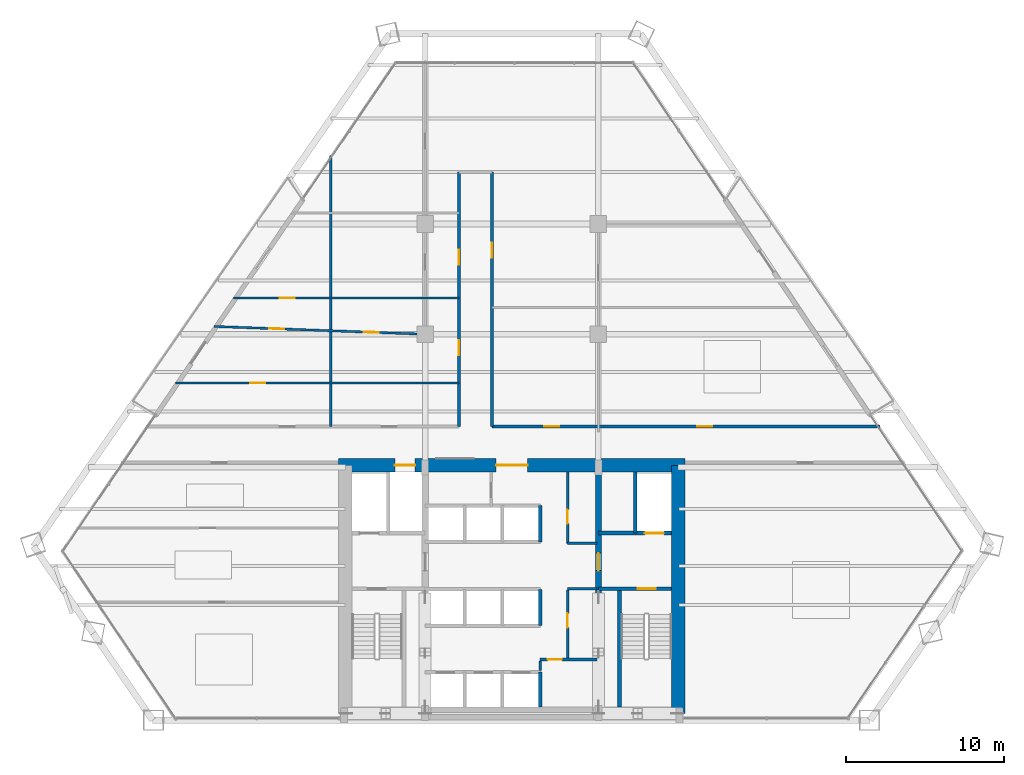
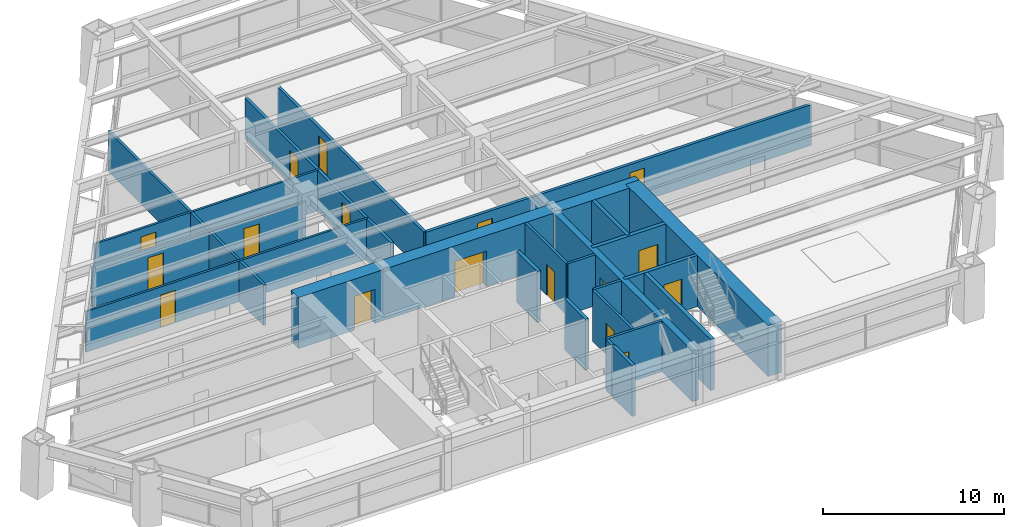
# One storey, part 11 of 14: 23 walls, 17 doors, 17 openings.
"""IFC4 building model written with IfcOpenShell, lengths in metres."""

from ifc_helpers import new_model, si_unit, direction, frame, frame_2d, origin, place, context, subcontext, project, spatial, rectangle, extrude, source, transform, mapped, material, layer, layer_set, type_object, type_shapes, element, fill, save


model = new_model("IFC4")

# Units and contexts
model_context = context("Model", 3, precision=1e-05, world=origin(), true_north=direction((0.0, 1.0)))
body_context = subcontext(model_context, "Body", "Model", "MODEL_VIEW")
ifc_project = project(units=[si_unit("LENGTHUNIT", "METRE"), si_unit("AREAUNIT", "SQUARE_METRE"), si_unit("VOLUMEUNIT", "CUBIC_METRE"), si_unit("PLANEANGLEUNIT", "RADIAN"), si_unit("MASSUNIT", "GRAM", prefix="KILO")], contexts=[model_context])

# Site, building, storey
site_placement = place(None, origin())
site = spatial("IfcSite", under=ifc_project, at=site_placement, CompositionType="ELEMENT")
building_placement = place(site_placement, origin())
building = spatial("IfcBuilding", under=site, at=building_placement, Name="Varnakhor Terracotta Tower", CompositionType="ELEMENT")
storey_placement = place(building_placement, frame((0.0, 0.0, 42.300048828125)))
storey = spatial("IfcBuildingStorey", under=building, at=storey_placement, Name="L09", CompositionType="ELEMENT", Elevation=42.300048828125)

# Wall, openings, doors
ifc_material_1 = material(Name="Concrete C60/75", Category="concrete")
ifc_layer_1 = layer(ifc_material_1, 0.85009765625, Name="Concrete C60/75")
ifc_layer_set_1 = layer_set([ifc_layer_1], Name="Concrete C60/75")
wall_type_1 = type_object("IfcWallType", Name="WAL-CORE-850", PredefinedType="SHEAR", material=ifc_layer_set_1)
wall_1_placement = place(storey_placement, frame((-11.0, 16.175048828125, 0.0), z_axis=(0.0, 0.0, 1.0), x_axis=(1.0, 0.0, 0.0)))
wall_1 = element("IfcWall", 1, at=wall_1_placement, inside=storey, type_object=wall_type_1, Name="L09 North Core Shear Wall", PredefinedType="SHEAR", context=body_context, shape_type="SweptSolid", body=[
    extrude(rectangle(XDim=22.0, YDim=0.85009765625, at=frame_2d((11.0, 0.0))), origin(), (0.0, 0.0, 1.0), 3.449951171875),
])
opening_1_placement = place(wall_1_placement, frame((3.570068359375, 0.0, 0.0)))
opening_1 = element("IfcOpeningElement", 2, at=opening_1_placement, cuts=wall_1, Name="Opening LD-03", PredefinedType="OPENING", context=body_context, shape_type="SweptSolid", body=[
    extrude(rectangle(XDim=1.300048828125, YDim=2.300048828125, at=frame_2d((0.64990234375, 1.14990234375))), frame((0.0, 0.43505859375, 0.0), z_axis=(0.0, -1.0, 0.0), x_axis=(1.0, 0.0, 0.0)), (0.0, 0.0, 1.0), 0.8701171875),
])
opening_2_placement = place(wall_1_placement, frame((10.0, 0.0, 0.0)))
opening_2 = element("IfcOpeningElement", 3, at=opening_2_placement, cuts=wall_1, Name="Opening DR-32", PredefinedType="OPENING", context=body_context, shape_type="SweptSolid", body=[
    extrude(rectangle(XDim=2.0, YDim=2.39990234375, at=frame_2d((1.0, 1.199951171875))), frame((0.0, 0.43505859375, 0.0), z_axis=(0.0, -1.0, 0.0), x_axis=(1.0, 0.0, 0.0)), (0.0, 0.0, 1.0), 0.8701171875),
])
ifc_material_2 = material(Name="Heavy-Duty Goods Sliding Lift Landing Door", Category="steel")
door_type_1 = type_object("IfcDoorType", Name="LD-SRV-1300X2300", OperationType="NOTDEFINED", PredefinedType="DOOR", material=ifc_material_2)
shared_shape_1 = source(origin(), body_context, "Body", "SweptSolid", [
    extrude(rectangle(XDim=1.300048828125, YDim=2.300048828125, at=frame_2d((0.64990234375, 1.14990234375))), frame((0.0, 0.02490234375, 0.0), z_axis=(0.0, -1.0, 0.0), x_axis=(1.0, 0.0, 0.0)), (0.0, 0.0, 1.0), 0.050048828125),
])
type_shapes(door_type_1, [shared_shape_1])
door_1_placement = place(opening_1_placement, origin())
door_1 = element("IfcDoor", 4, at=door_1_placement, inside=storey, type_object=door_type_1, Name="L09 Service Lift SVL-1 Landing Door", OperationType="SLIDING_TO_RIGHT", OverallHeight=2.300048828125, OverallWidth=1.300048828125, PredefinedType="DOOR", context=body_context, shape_type="MappedRepresentation", body=[
    mapped(shared_shape_1, transform((0.0, 0.0, 0.0), scale=1.0)),
])
fill(opening_1, door_1)
ifc_material_3 = material(Name="Acoustic Double Assembly Fire Door", Category="wood")
door_type_2 = type_object("IfcDoorType", Name="DR-HALL-2000X2400", OperationType="NOTDEFINED", PredefinedType="DOOR", material=ifc_material_3)
shared_shape_2 = source(origin(), body_context, "Body", "SweptSolid", [
    extrude(rectangle(XDim=2.0, YDim=2.39990234375, at=frame_2d((1.0, 1.199951171875))), frame((0.0, 0.02490234375, 0.0), z_axis=(0.0, -1.0, 0.0), x_axis=(1.0, 0.0, 0.0)), (0.0, 0.0, 1.0), 0.050048828125),
])
type_shapes(door_type_2, [shared_shape_2])
door_2_placement = place(opening_2_placement, origin())
door_2 = element("IfcDoor", 5, at=door_2_placement, inside=storey, type_object=door_type_2, Name="L09 Core Main Lobby Double Door", OperationType="DOUBLE_DOOR_SINGLE_SWING", OverallHeight=2.39990234375, OverallWidth=2.0, PredefinedType="DOOR", context=body_context, shape_type="MappedRepresentation", body=[
    mapped(shared_shape_2, transform((0.0, 0.0, 0.0), scale=1.0)),
])
fill(opening_2, door_2)

# Wall
wall_2_placement = place(storey_placement, frame((10.574951171875, 0.425048828125, 0.0), z_axis=(0.0, 0.0, 1.0), x_axis=(0.0, 1.0, 0.0)))
element("IfcWall", 6, at=wall_2_placement, inside=storey, type_object=wall_type_1, Name="L09 East Core Shear Wall", PredefinedType="SHEAR", context=body_context, shape_type="SweptSolid", body=[
    extrude(rectangle(XDim=15.75, YDim=0.85009765625, at=frame_2d((7.875, 0.0))), origin(), (0.0, 0.0, 1.0), 3.449951171875),
])

# Wall, opening, door
ifc_material_4 = material(Name="Concrete C50/60", Category="concrete")
ifc_layer_2 = layer(ifc_material_4, 0.39990234375, Name="Concrete C50/60")
ifc_layer_set_2 = layer_set([ifc_layer_2], Name="Concrete C50/60")
wall_type_2 = type_object("IfcWallType", Name="WAL-CORE-WEB-400", PredefinedType="SHEAR", material=ifc_layer_set_2)
wall_3_placement = place(storey_placement, frame((5.5, 0.425048828125, 0.0), z_axis=(0.0, 0.0, 1.0), x_axis=(0.0, 1.0, 0.0)))
wall_3 = element("IfcWall", 7, at=wall_3_placement, inside=storey, type_object=wall_type_2, Name="L09 East Core Web Shear Wall", PredefinedType="SHEAR", context=body_context, shape_type="SweptSolid", body=[
    extrude(rectangle(XDim=15.75, YDim=0.39990234375, at=frame_2d((7.875, 0.0))), origin(), (0.0, 0.0, 1.0), 3.449951171875),
])
opening_3_placement = place(wall_3_placement, frame((9.074951171875, 0.0, 0.0)))
opening_3 = element("IfcOpeningElement", 8, at=opening_3_placement, cuts=wall_3, Name="Opening DR-25", PredefinedType="OPENING", context=body_context, shape_type="SweptSolid", body=[
    extrude(rectangle(XDim=1.10009765625, YDim=2.199951171875, at=frame_2d((0.550048828125, 1.10009765625))), frame((0.0, 0.2099609375, 0.0), z_axis=(0.0, -1.0, 0.0), x_axis=(1.0, 0.0, 0.0)), (0.0, 0.0, 1.0), 0.419921875),
])
ifc_material_5 = material(Name="Firefighting Lobby Self-Closing Fire Door", Category="steel")
door_type_3 = type_object("IfcDoorType", Name="DR-FFL-1100X2200", OperationType="NOTDEFINED", PredefinedType="DOOR", material=ifc_material_5)
shared_shape_3 = source(origin(), body_context, "Body", "SweptSolid", [
    extrude(rectangle(XDim=1.10009765625, YDim=2.199951171875, at=frame_2d((0.550048828125, 1.10009765625))), frame((0.0, 0.02490234375, 0.0), z_axis=(0.0, -1.0, 0.0), x_axis=(1.0, 0.0, 0.0)), (0.0, 0.0, 1.0), 0.050048828125),
])
type_shapes(door_type_3, [shared_shape_3])
door_3_placement = place(opening_3_placement, origin())
door_3 = element("IfcDoor", 9, at=door_3_placement, inside=storey, type_object=door_type_3, Name="L09 East Firefighting Lobby Door", OperationType="SINGLE_SWING_LEFT", OverallHeight=2.199951171875, OverallWidth=1.10009765625, PredefinedType="DOOR", context=body_context, shape_type="MappedRepresentation", body=[
    mapped(shared_shape_3, transform((0.0, 0.0, 0.0), scale=1.0)),
])
fill(opening_3, door_3)

# Wall, openings, doors
ifc_material_6 = material(Name="Fire-Rated Gypsum Stud Partition", Category="gypsum")
ifc_layer_3 = layer(ifc_material_6, 0.18505859375, Name="Fire-Rated Gypsum Stud Partition")
ifc_layer_set_3 = layer_set([ifc_layer_3], Name="Fire-Rated Gypsum Stud Partition")
wall_type_3 = type_object("IfcWallType", Name="WAL-CORR-185", PredefinedType="PARTITIONING", material=ifc_layer_set_3)
wall_4_placement = place(storey_placement, frame((-1.25, 18.64990234375, 0.0), z_axis=(0.0, 0.0, 1.0), x_axis=(1.0, 0.0, 0.0)))
wall_4 = element("IfcWall", 10, at=wall_4_placement, inside=storey, type_object=wall_type_3, Name="L09 Corridor North East Wall", PredefinedType="PARTITIONING", context=body_context, shape_type="SweptSolid", body=[
    extrude(rectangle(XDim=24.631591796875, YDim=0.18505859375, at=frame_2d((12.31591796875, 0.0))), origin(), (0.0, 0.0, 1.0), 2.7470703125),
])
opening_4_placement = place(wall_4_placement, frame((13.038330078125, 0.0, 0.0)))
opening_4 = element("IfcOpeningElement", 11, at=opening_4_placement, cuts=wall_4, Name="Opening DR-94", PredefinedType="OPENING", context=body_context, shape_type="SweptSolid", body=[
    extrude(rectangle(XDim=0.949951171875, YDim=2.199951171875, at=frame_2d((0.47509765625, 1.10009765625))), frame((0.0, 0.1025390625, 0.0), z_axis=(0.0, -1.0, 0.0), x_axis=(1.0, 0.0, 0.0)), (0.0, 0.0, 1.0), 0.205078125),
])
opening_5_placement = place(wall_4_placement, frame((3.300537109375, 0.0, 0.0)))
opening_5 = element("IfcOpeningElement", 12, at=opening_5_placement, cuts=wall_4, Name="Opening DR-94", PredefinedType="OPENING", context=body_context, shape_type="SweptSolid", body=[
    extrude(rectangle(XDim=0.949951171875, YDim=2.199951171875, at=frame_2d((0.47509765625, 1.10009765625))), frame((0.0, 0.1025390625, 0.0), z_axis=(0.0, -1.0, 0.0), x_axis=(1.0, 0.0, 0.0)), (0.0, 0.0, 1.0), 0.205078125),
])
ifc_material_7 = material(Name="Acoustic Glazed-Vision Timber Office Door", Category="wood")
door_type_4 = type_object("IfcDoorType", Name="DR-OFF-950X2200", OperationType="NOTDEFINED", PredefinedType="DOOR", material=ifc_material_7)
shared_shape_4 = source(origin(), body_context, "Body", "SweptSolid", [
    extrude(rectangle(XDim=0.949951171875, YDim=2.199951171875, at=frame_2d((0.47509765625, 1.10009765625))), frame((0.0, 0.02490234375, 0.0), z_axis=(0.0, -1.0, 0.0), x_axis=(1.0, 0.0, 0.0)), (0.0, 0.0, 1.0), 0.050048828125),
])
type_shapes(door_type_4, [shared_shape_4])
door_4_placement = place(opening_4_placement, origin())
door_4 = element("IfcDoor", 13, at=door_4_placement, inside=storey, type_object=door_type_4, Name="L09 East Workplace Door", OperationType="SINGLE_SWING_LEFT", OverallHeight=2.199951171875, OverallWidth=0.949951171875, PredefinedType="DOOR", context=body_context, shape_type="MappedRepresentation", body=[
    mapped(shared_shape_4, transform((0.0, 0.0, 0.0), scale=1.0)),
])
fill(opening_4, door_4)
door_5_placement = place(opening_5_placement, origin())
door_5 = element("IfcDoor", 14, at=door_5_placement, inside=storey, type_object=door_type_4, Name="L09 Partner Office W2 B9 Door", OperationType="SINGLE_SWING_RIGHT", OverallHeight=2.199951171875, OverallWidth=0.949951171875, PredefinedType="DOOR", context=body_context, shape_type="MappedRepresentation", body=[
    mapped(shared_shape_4, transform((0.0, 0.0, 0.0), scale=1.0)),
])
fill(opening_5, door_5)

wall_5_placement = place(storey_placement, frame((-3.35009765625, 18.64990234375, 0.0), z_axis=(0.0, 0.0, 1.0), x_axis=(0.0, 1.0, 0.0)))
wall_5 = element("IfcWall", 15, at=wall_5_placement, inside=storey, type_object=wall_type_3, Name="L09 Spine West Wall", PredefinedType="PARTITIONING", context=body_context, shape_type="SweptSolid", body=[
    extrude(rectangle(XDim=16.150146484375, YDim=0.18505859375, at=frame_2d((8.0751953125, 0.0))), origin(), (0.0, 0.0, 1.0), 2.7470703125),
])
opening_6_placement = place(wall_5_placement, frame((4.506103515625, 0.0, 0.0)))
opening_6 = element("IfcOpeningElement", 16, at=opening_6_placement, cuts=wall_5, Name="Opening DR-94", PredefinedType="OPENING", context=body_context, shape_type="SweptSolid", body=[
    extrude(rectangle(XDim=0.949951171875, YDim=2.199951171875, at=frame_2d((0.47509765625, 1.10009765625))), frame((0.0, 0.1025390625, 0.0), z_axis=(0.0, -1.0, 0.0), x_axis=(1.0, 0.0, 0.0)), (0.0, 0.0, 1.0), 0.205078125),
])
opening_7_placement = place(wall_5_placement, frame((10.25830078125, 0.0, 0.0)))
opening_7 = element("IfcOpeningElement", 17, at=opening_7_placement, cuts=wall_5, Name="Opening DR-94", PredefinedType="OPENING", context=body_context, shape_type="SweptSolid", body=[
    extrude(rectangle(XDim=0.949951171875, YDim=2.199951171875, at=frame_2d((0.47509765625, 1.10009765625))), frame((0.0, 0.1025390625, 0.0), z_axis=(0.0, -1.0, 0.0), x_axis=(1.0, 0.0, 0.0)), (0.0, 0.0, 1.0), 0.205078125),
])
door_6_placement = place(opening_6_placement, origin())
door_6 = element("IfcDoor", 18, at=door_6_placement, inside=storey, type_object=door_type_4, Name="L09 Spine West Door", OperationType="SINGLE_SWING_RIGHT", OverallHeight=2.199951171875, OverallWidth=0.949951171875, PredefinedType="DOOR", context=body_context, shape_type="MappedRepresentation", body=[
    mapped(shared_shape_4, transform((0.0, 0.0, 0.0), scale=1.0)),
])
fill(opening_6, door_6)
door_7_placement = place(opening_7_placement, origin())
door_7 = element("IfcDoor", 19, at=door_7_placement, inside=storey, type_object=door_type_4, Name="L09 Partner Office W1 B16 Door", OperationType="SINGLE_SWING_RIGHT", OverallHeight=2.199951171875, OverallWidth=0.949951171875, PredefinedType="DOOR", context=body_context, shape_type="MappedRepresentation", body=[
    mapped(shared_shape_4, transform((0.0, 0.0, 0.0), scale=1.0)),
])
fill(opening_7, door_7)

# Wall, opening, door
wall_6_placement = place(storey_placement, frame((-1.25, 18.64990234375, 0.0), z_axis=(0.0, 0.0, 1.0), x_axis=(0.0, 1.0, 0.0)))
wall_6 = element("IfcWall", 20, at=wall_6_placement, inside=storey, type_object=wall_type_3, Name="L09 Spine East Wall", PredefinedType="PARTITIONING", context=body_context, shape_type="SweptSolid", body=[
    extrude(rectangle(XDim=16.150146484375, YDim=0.18505859375, at=frame_2d((8.0751953125, 0.0))), origin(), (0.0, 0.0, 1.0), 2.7470703125),
])
opening_8_placement = place(wall_6_placement, frame((10.694091796875, 0.0, 0.0)))
opening_8 = element("IfcOpeningElement", 21, at=opening_8_placement, cuts=wall_6, Name="Opening DR-94", PredefinedType="OPENING", context=body_context, shape_type="SweptSolid", body=[
    extrude(rectangle(XDim=0.949951171875, YDim=2.199951171875, at=frame_2d((0.47509765625, 1.10009765625))), frame((0.0, 0.1025390625, 0.0), z_axis=(0.0, -1.0, 0.0), x_axis=(1.0, 0.0, 0.0)), (0.0, 0.0, 1.0), 0.205078125),
])
door_8_placement = place(opening_8_placement, origin())
door_8 = element("IfcDoor", 22, at=door_8_placement, inside=storey, type_object=door_type_4, Name="L09 Spine East Door", OperationType="SINGLE_SWING_LEFT", OverallHeight=2.199951171875, OverallWidth=0.949951171875, PredefinedType="DOOR", context=body_context, shape_type="MappedRepresentation", body=[
    mapped(shared_shape_4, transform((0.0, 0.0, 0.0), scale=1.0)),
])
fill(opening_8, door_8)

ifc_material_8 = material(Name="Concrete C40/50", Category="concrete")
ifc_layer_4 = layer(ifc_material_8, 0.219970703125, Name="Concrete C40/50")
ifc_layer_set_4 = layer_set([ifc_layer_4], Name="Concrete C40/50")
wall_type_4 = type_object("IfcWallType", Name="WAL-FFLOBBY-220", PredefinedType="SOLIDWALL", material=ifc_layer_set_4)
wall_7_placement = place(storey_placement, frame((10.14990234375, 8.35009765625, 0.0), z_axis=(0.0, 0.0, 1.0), x_axis=(-1.0, 0.0, 0.0)))
wall_7 = element("IfcWall", 23, at=wall_7_placement, inside=storey, type_object=wall_type_4, Name="L09 East Firefighting Lobby Stair Wall", PredefinedType="SOLIDWALL", context=body_context, shape_type="SweptSolid", body=[
    extrude(rectangle(XDim=4.64990234375, YDim=0.219970703125, at=frame_2d((2.324951171875, 0.0))), origin(), (0.0, 0.0, 1.0), 3.449951171875),
])
opening_9_placement = place(wall_7_placement, frame((1.0, 0.0, 0.0)))
opening_9 = element("IfcOpeningElement", 24, at=opening_9_placement, cuts=wall_7, Name="Opening DR-34", PredefinedType="OPENING", context=body_context, shape_type="SweptSolid", body=[
    extrude(rectangle(XDim=1.14990234375, YDim=2.199951171875, at=frame_2d((0.574951171875, 1.10009765625))), frame((0.0, 0.1201171875, 0.0), z_axis=(0.0, -1.0, 0.0), x_axis=(1.0, 0.0, 0.0)), (0.0, 0.0, 1.0), 0.239990234375),
])
ifc_material_9 = material(Name="Self-Closing Smoke-Sealed Steel Fire Door", Category="steel")
door_type_5 = type_object("IfcDoorType", Name="DR-STAIR-1150X2200", OperationType="NOTDEFINED", PredefinedType="DOOR", material=ifc_material_9)
shared_shape_5 = source(origin(), body_context, "Body", "SweptSolid", [
    extrude(rectangle(XDim=1.14990234375, YDim=2.199951171875, at=frame_2d((0.574951171875, 1.10009765625))), frame((0.0, 0.02490234375, 0.0), z_axis=(0.0, -1.0, 0.0), x_axis=(1.0, 0.0, 0.0)), (0.0, 0.0, 1.0), 0.050048828125),
])
type_shapes(door_type_5, [shared_shape_5])
door_9_placement = place(opening_9_placement, origin())
door_9 = element("IfcDoor", 25, at=door_9_placement, inside=storey, type_object=door_type_5, Name="L09 Exit Stair ST-2 Fire Door", OperationType="SINGLE_SWING_RIGHT", OverallHeight=2.199951171875, OverallWidth=1.14990234375, PredefinedType="DOOR", context=body_context, shape_type="MappedRepresentation", body=[
    mapped(shared_shape_5, transform((0.0, 0.0, 0.0), scale=1.0)),
])
fill(opening_9, door_9)

# Wall, openings, doors
ifc_material_10 = material(Name="Acoustic Metal-Stud Partition", Category="gypsum")
ifc_layer_5 = layer(ifc_material_10, 0.139892578125, Name="Acoustic Metal-Stud Partition")
ifc_layer_set_5 = layer_set([ifc_layer_5], Name="Acoustic Metal-Stud Partition")
wall_type_5 = type_object("IfcWallType", Name="WAL-PART-140", PredefinedType="PARTITIONING", material=ifc_layer_set_5)
wall_8_placement = place(storey_placement, frame((-18.90478515625, 24.994384765625, 0.0), z_axis=(0.0, 0.0, 1.0), x_axis=(0.999320581027, -0.03685615737, 0.0)))
wall_8 = element("IfcWall", 26, at=wall_8_placement, inside=storey, type_object=wall_type_5, Name="L09 Mid West Column Wall", PredefinedType="PARTITIONING", context=body_context, shape_type="SweptSolid", body=[
    extrude(rectangle(XDim=13.413818359375, YDim=0.139892578125, at=frame_2d((6.70703125, 0.0))), origin(), (0.0, 0.0, 1.0), 2.7470703125),
])
opening_10_placement = place(wall_8_placement, frame((9.525146484375, 0.0, 0.0)))
opening_10 = element("IfcOpeningElement", 27, at=opening_10_placement, cuts=wall_8, Name="Opening DR-94", PredefinedType="OPENING", context=body_context, shape_type="SweptSolid", body=[
    extrude(rectangle(XDim=0.949951171875, YDim=2.199951171875, at=frame_2d((0.47509765625, 1.10009765625))), frame((0.0, 0.080078125, 0.0), z_axis=(0.0, -1.0, 0.0), x_axis=(1.0, 0.0, 0.0)), (0.0, 0.0, 1.0), 0.159912109375),
])
opening_11_placement = place(wall_8_placement, frame((3.5126953125, 0.0, 0.0)))
opening_11 = element("IfcOpeningElement", 28, at=opening_11_placement, cuts=wall_8, Name="Opening DR-94", PredefinedType="OPENING", context=body_context, shape_type="SweptSolid", body=[
    extrude(rectangle(XDim=0.949951171875, YDim=2.199951171875, at=frame_2d((0.47509765625, 1.10009765625))), frame((0.0, 0.080078125, 0.0), z_axis=(0.0, -1.0, 0.0), x_axis=(1.0, 0.0, 0.0)), (0.0, 0.0, 1.0), 0.159912109375),
])
door_10_placement = place(opening_10_placement, origin())
door_10 = element("IfcDoor", 29, at=door_10_placement, inside=storey, type_object=door_type_4, Name="L09 Seminar Training Room B12 Door", OperationType="SINGLE_SWING_RIGHT", OverallHeight=2.199951171875, OverallWidth=0.949951171875, PredefinedType="DOOR", context=body_context, shape_type="MappedRepresentation", body=[
    mapped(shared_shape_4, transform((0.0, 0.0, 0.0), scale=1.0)),
])
fill(opening_10, door_10)
door_11_placement = place(opening_11_placement, origin())
door_11 = element("IfcDoor", 30, at=door_11_placement, inside=storey, type_object=door_type_4, Name="L09 Client Reception B13 Door", OperationType="SINGLE_SWING_LEFT", OverallHeight=2.199951171875, OverallWidth=0.949951171875, PredefinedType="DOOR", context=body_context, shape_type="MappedRepresentation", body=[
    mapped(shared_shape_4, transform((0.0, 0.0, 0.0), scale=1.0)),
])
fill(opening_11, door_11)

# Wall, opening, door
wall_9_placement = place(storey_placement, frame((-21.354736328125, 21.39990234375, 0.0), z_axis=(0.0, 0.0, 1.0), x_axis=(1.0, 0.0, 0.0)))
wall_9 = element("IfcWall", 31, at=wall_9_placement, inside=storey, type_object=wall_type_5, Name="L09 West Wing Cut 1", PredefinedType="PARTITIONING", context=body_context, shape_type="SweptSolid", body=[
    extrude(rectangle(XDim=18.004638671875, YDim=0.139892578125, at=frame_2d((9.00244140625, 0.0))), origin(), (0.0, 0.0, 1.0), 2.7470703125),
])
opening_12_placement = place(wall_9_placement, frame((4.745849609375, 0.0, 0.0)))
opening_12 = element("IfcOpeningElement", 32, at=opening_12_placement, cuts=wall_9, Name="Opening DR-94", PredefinedType="OPENING", context=body_context, shape_type="SweptSolid", body=[
    extrude(rectangle(XDim=0.949951171875, YDim=2.199951171875, at=frame_2d((0.47509765625, 1.10009765625))), frame((0.0, 0.080078125, 0.0), z_axis=(0.0, -1.0, 0.0), x_axis=(1.0, 0.0, 0.0)), (0.0, 0.0, 1.0), 0.159912109375),
])
door_12_placement = place(opening_12_placement, origin())
door_12 = element("IfcDoor", 33, at=door_12_placement, inside=storey, type_object=door_type_4, Name="L09 Partner Office W3 B10 Door", OperationType="SINGLE_SWING_LEFT", OverallHeight=2.199951171875, OverallWidth=0.949951171875, PredefinedType="DOOR", context=body_context, shape_type="MappedRepresentation", body=[
    mapped(shared_shape_4, transform((0.0, 0.0, 0.0), scale=1.0)),
])
fill(opening_12, door_12)

wall_10_placement = place(storey_placement, frame((-17.67431640625, 26.800048828125, 0.0), z_axis=(0.0, 0.0, 1.0), x_axis=(1.0, 0.0, 0.0)))
wall_10 = element("IfcWall", 34, at=wall_10_placement, inside=storey, type_object=wall_type_5, Name="L09 West Wing Cut 2", PredefinedType="PARTITIONING", context=body_context, shape_type="SweptSolid", body=[
    extrude(rectangle(XDim=14.32421875, YDim=0.139892578125, at=frame_2d((7.162109375, 0.0))), origin(), (0.0, 0.0, 1.0), 2.7470703125),
])
opening_13_placement = place(wall_10_placement, frame((2.943603515625, 0.0, 0.0)))
opening_13 = element("IfcOpeningElement", 35, at=opening_13_placement, cuts=wall_10, Name="Opening DR-94", PredefinedType="OPENING", context=body_context, shape_type="SweptSolid", body=[
    extrude(rectangle(XDim=0.949951171875, YDim=2.199951171875, at=frame_2d((0.47509765625, 1.10009765625))), frame((0.0, 0.080078125, 0.0), z_axis=(0.0, -1.0, 0.0), x_axis=(1.0, 0.0, 0.0)), (0.0, 0.0, 1.0), 0.159912109375),
])
door_13_placement = place(opening_13_placement, origin())
door_13 = element("IfcDoor", 36, at=door_13_placement, inside=storey, type_object=door_type_4, Name="L09 Project Study Office B15 Door", OperationType="SINGLE_SWING_LEFT", OverallHeight=2.199951171875, OverallWidth=0.949951171875, PredefinedType="DOOR", context=body_context, shape_type="MappedRepresentation", body=[
    mapped(shared_shape_4, transform((0.0, 0.0, 0.0), scale=1.0)),
])
fill(opening_13, door_13)

# Walls
ifc_layer_6 = layer(ifc_material_8, 0.219970703125, Name="Concrete C40/50")
ifc_layer_set_6 = layer_set([ifc_layer_6], Name="Concrete C40/50")
wall_type_6 = type_object("IfcWallType", Name="WAL-SHAFT-220", PredefinedType="SOLIDWALL", material=ifc_layer_set_6)
wall_11_placement = place(storey_placement, frame((7.840087890625, 11.8701171875, 0.0), z_axis=(0.0, 0.0, 1.0), x_axis=(0.0, 1.0, 0.0)))
element("IfcWall", 37, at=wall_11_placement, inside=storey, type_object=wall_type_6, Name="L09 Lift FFL-2 and Riser Divider Wall", PredefinedType="SOLIDWALL", context=body_context, shape_type="SweptSolid", body=[
    extrude(rectangle(XDim=3.8798828125, YDim=0.219970703125, at=frame_2d((1.93994140625, 0.0))), origin(), (0.0, 0.0, 1.0), 3.449951171875),
])
wall_12_placement = place(storey_placement, frame((1.800048828125, 0.85009765625, 0.0), z_axis=(0.0, 0.0, 1.0), x_axis=(0.0, 1.0, 0.0)))
element("IfcWall", 38, at=wall_12_placement, inside=storey, type_object=wall_type_6, Name="L09 Bank 1 East Shaft Wall", PredefinedType="SOLIDWALL", context=body_context, shape_type="SweptSolid", body=[
    extrude(rectangle(XDim=2.199951171875, YDim=0.219970703125, at=frame_2d((1.10009765625, 0.0))), origin(), (0.0, 0.0, 1.0), 3.449951171875),
])
for number, where, z_axis, x_axis, name in (
    (39, (1.800048828125, 6.0, 0.0), (0.0, 0.0, 1.0), (0.0, 1.0, 0.0), "L09 Bank 2 East Shaft Wall"),
    (40, (1.800048828125, 11.320068359375, 0.0), (0.0, 0.0, 1.0), (0.0, 1.0, 0.0), "L09 Bank 3 East Shaft Wall"),
):
    element("IfcWall", number, at=place(storey_placement, frame(where, z_axis=z_axis, x_axis=x_axis)), inside=storey, type_object=wall_type_6, Name=name, PredefinedType="SOLIDWALL", context=body_context, shape_type="SweptSolid", body=[
        extrude(rectangle(XDim=2.300048828125, YDim=0.219970703125, at=frame_2d((1.14990234375, 0.0))), origin(), (0.0, 0.0, 1.0), 3.449951171875),
    ])
ifc_layer_7 = layer(ifc_material_8, 0.25, Name="Concrete C40/50")
ifc_layer_set_7 = layer_set([ifc_layer_7], Name="Concrete C40/50")
wall_type_7 = type_object("IfcWallType", Name="WAL-SHAFT-250", PredefinedType="SOLIDWALL", material=ifc_layer_set_7)
wall_13_placement = place(storey_placement, frame((6.85009765625, 0.85009765625, 0.0), z_axis=(0.0, 0.0, 1.0), x_axis=(0.0, 1.0, 0.0)))
element("IfcWall", 41, at=wall_13_placement, inside=storey, type_object=wall_type_7, Name="L09 Stair ST-2 Bearing Shaft Wall", PredefinedType="SOLIDWALL", context=body_context, shape_type="SweptSolid", body=[
    extrude(rectangle(XDim=7.5, YDim=0.25, at=frame_2d((3.75, 0.0))), origin(), (0.0, 0.0, 1.0), 3.449951171875),
])

# Wall, opening, door
wall_14_placement = place(storey_placement, frame((10.14990234375, 11.8701171875, 0.0), z_axis=(0.0, 0.0, 1.0), x_axis=(-1.0, 0.0, 0.0)))
wall_14 = element("IfcWall", 42, at=wall_14_placement, inside=storey, type_object=wall_type_7, Name="L09 Lift FFL-2 Shaft Front Wall", PredefinedType="SOLIDWALL", context=body_context, shape_type="SweptSolid", body=[
    extrude(rectangle(XDim=4.64990234375, YDim=0.25, at=frame_2d((2.324951171875, 0.0))), origin(), (0.0, 0.0, 1.0), 3.449951171875),
])
opening_14_placement = place(wall_14_placement, frame((0.5, 0.0, 0.0)))
opening_14 = element("IfcOpeningElement", 43, at=opening_14_placement, cuts=wall_14, Name="Opening LD-02", PredefinedType="OPENING", context=body_context, shape_type="SweptSolid", body=[
    extrude(rectangle(XDim=1.199951171875, YDim=2.25, at=frame_2d((0.60009765625, 1.125))), frame((0.0, 0.135009765625, 0.0), z_axis=(0.0, -1.0, 0.0), x_axis=(1.0, 0.0, 0.0)), (0.0, 0.0, 1.0), 0.27001953125),
])
ifc_material_11 = material(Name="Firefighting Stretcher Sliding Lift Landing Door", Category="steel")
door_type_6 = type_object("IfcDoorType", Name="LD-FFL-1200X2250", OperationType="NOTDEFINED", PredefinedType="DOOR", material=ifc_material_11)
shared_shape_6 = source(origin(), body_context, "Body", "SweptSolid", [
    extrude(rectangle(XDim=1.199951171875, YDim=2.25, at=frame_2d((0.60009765625, 1.125))), frame((0.0, 0.02490234375, 0.0), z_axis=(0.0, -1.0, 0.0), x_axis=(1.0, 0.0, 0.0)), (0.0, 0.0, 1.0), 0.050048828125),
])
type_shapes(door_type_6, [shared_shape_6])
door_14_placement = place(opening_14_placement, origin())
door_14 = element("IfcDoor", 44, at=door_14_placement, inside=storey, type_object=door_type_6, Name="L09 Firefighting Lift FFL-2 Landing Door", OperationType="SLIDING_TO_RIGHT", OverallHeight=2.25, OverallWidth=1.199951171875, PredefinedType="DOOR", context=body_context, shape_type="MappedRepresentation", body=[
    mapped(shared_shape_6, transform((0.0, 0.0, 0.0), scale=1.0)),
])
fill(opening_14, door_14)

# Wall
ifc_material_12 = material(Name="Acoustic Fire-Rated Partition", Category="gypsum")
ifc_layer_8 = layer(ifc_material_12, 0.1650390625, Name="Acoustic Fire-Rated Partition")
ifc_layer_set_8 = layer_set([ifc_layer_8], Name="Acoustic Fire-Rated Partition")
wall_type_8 = type_object("IfcWallType", Name="WAL-TENANCY-165", PredefinedType="PARTITIONING", material=ifc_layer_set_8)
wall_15_placement = place(storey_placement, frame((1.800048828125, 3.159912109375, 0.0), z_axis=(0.0, 0.0, 1.0), x_axis=(0.0, 1.0, 0.0)))
element("IfcWall", 45, at=wall_15_placement, inside=storey, type_object=wall_type_8, Name="L09 Core South West Return Wall", PredefinedType="PARTITIONING", context=body_context, shape_type="SweptSolid", body=[
    extrude(rectangle(XDim=0.607666015625, YDim=0.1650390625, at=frame_2d((0.3037109375, 0.0))), origin(), (0.0, 0.0, 1.0), 3.44189453125),
])

# Wall, opening, door
wall_16_placement = place(storey_placement, frame((3.5400390625, 3.9326171875, 0.0), z_axis=(0.0, 0.0, 1.0), x_axis=(0.0, 1.0, 0.0)))
wall_16 = element("IfcWall", 46, at=wall_16_placement, inside=storey, type_object=wall_type_8, Name="L09 Core Service Rated Wall", PredefinedType="PARTITIONING", context=body_context, shape_type="SweptSolid", body=[
    extrude(rectangle(XDim=4.324951171875, YDim=0.1650390625, at=frame_2d((2.16259765625, 0.0))), origin(), (0.0, 0.0, 1.0), 3.44189453125),
])
opening_15_placement = place(wall_16_placement, frame((1.9462890625, 0.0, 0.0)))
opening_15 = element("IfcOpeningElement", 47, at=opening_15_placement, cuts=wall_16, Name="Opening DR-67", PredefinedType="OPENING", context=body_context, shape_type="SweptSolid", body=[
    extrude(rectangle(XDim=0.89990234375, YDim=2.10009765625, at=frame_2d((0.449951171875, 1.050048828125))), frame((0.0, 0.092529296875, 0.0), z_axis=(0.0, -1.0, 0.0), x_axis=(1.0, 0.0, 0.0)), (0.0, 0.0, 1.0), 0.18505859375),
])
ifc_material_13 = material(Name="Steel Service Riser Fire Door", Category="steel")
door_type_7 = type_object("IfcDoorType", Name="DR-RISER-900X2100", OperationType="NOTDEFINED", PredefinedType="DOOR", material=ifc_material_13)
shared_shape_7 = source(origin(), body_context, "Body", "SweptSolid", [
    extrude(rectangle(XDim=0.89990234375, YDim=2.10009765625, at=frame_2d((0.449951171875, 1.050048828125))), frame((0.0, 0.02490234375, 0.0), z_axis=(0.0, -1.0, 0.0), x_axis=(1.0, 0.0, 0.0)), (0.0, 0.0, 1.0), 0.050048828125),
])
type_shapes(door_type_7, [shared_shape_7])
door_15_placement = place(opening_15_placement, origin())
door_15 = element("IfcDoor", 48, at=door_15_placement, inside=storey, type_object=door_type_7, Name="L09 Core Accessible WC Door", OperationType="SINGLE_SWING_LEFT", OverallHeight=2.10009765625, OverallWidth=0.89990234375, PredefinedType="DOOR", context=body_context, shape_type="MappedRepresentation", body=[
    mapped(shared_shape_7, transform((0.0, 0.0, 0.0), scale=1.0)),
])
fill(opening_15, door_15)

# Wall
wall_17_placement = place(storey_placement, frame((3.5400390625, 8.340087890625, 0.0), z_axis=(0.0, 0.0, 1.0), x_axis=(1.0, 0.0, 0.0)))
element("IfcWall", 49, at=wall_17_placement, inside=storey, type_object=wall_type_8, Name="L09 Accessible WC North Wall", PredefinedType="PARTITIONING", context=body_context, shape_type="SweptSolid", body=[
    extrude(rectangle(XDim=1.8798828125, YDim=0.1650390625, at=frame_2d((0.93994140625, 0.0))), origin(), (0.0, 0.0, 1.0), 3.44189453125),
])

# Wall, opening, door
wall_18_placement = place(storey_placement, frame((1.800048828125, 3.85009765625, 0.0), z_axis=(0.0, 0.0, 1.0), x_axis=(1.0, 0.0, 0.0)))
wall_18 = element("IfcWall", 50, at=wall_18_placement, inside=storey, type_object=wall_type_8, Name="L09 Core South Service Rated Wall", PredefinedType="PARTITIONING", context=body_context, shape_type="SweptSolid", body=[
    extrude(rectangle(XDim=3.619873046875, YDim=0.1650390625, at=frame_2d((1.81005859375, 0.0))), origin(), (0.0, 0.0, 1.0), 3.44189453125),
])
opening_16_placement = place(wall_18_placement, frame((0.47998046875, 0.0, 0.0)))
opening_16 = element("IfcOpeningElement", 51, at=opening_16_placement, cuts=wall_18, Name="Opening DR-67", PredefinedType="OPENING", context=body_context, shape_type="SweptSolid", body=[
    extrude(rectangle(XDim=0.89990234375, YDim=2.10009765625, at=frame_2d((0.449951171875, 1.050048828125))), frame((0.0, 0.092529296875, 0.0), z_axis=(0.0, -1.0, 0.0), x_axis=(1.0, 0.0, 0.0)), (0.0, 0.0, 1.0), 0.18505859375),
])
door_16_placement = place(opening_16_placement, origin())
door_16 = element("IfcDoor", 52, at=door_16_placement, inside=storey, type_object=door_type_7, Name="L09 Core IT Room Door", OperationType="SINGLE_SWING_RIGHT", OverallHeight=2.10009765625, OverallWidth=0.89990234375, PredefinedType="DOOR", context=body_context, shape_type="MappedRepresentation", body=[
    mapped(shared_shape_7, transform((0.0, 0.0, 0.0), scale=1.0)),
])
fill(opening_16, door_16)

wall_19_placement = place(storey_placement, frame((3.5400390625, 11.219970703125, 0.0), z_axis=(0.0, 0.0, 1.0), x_axis=(0.0, 1.0, 0.0)))
wall_19 = element("IfcWall", 53, at=wall_19_placement, inside=storey, type_object=wall_type_8, Name="L09 Restroom Corridor Wall", PredefinedType="PARTITIONING", context=body_context, shape_type="SweptSolid", body=[
    extrude(rectangle(XDim=4.530029296875, YDim=0.1650390625, at=frame_2d((2.26513671875, 0.0))), origin(), (0.0, 0.0, 1.0), 3.44189453125),
])
opening_17_placement = place(wall_19_placement, frame((1.25, 0.0, 0.0)))
opening_17 = element("IfcOpeningElement", 54, at=opening_17_placement, cuts=wall_19, Name="Opening DR-67", PredefinedType="OPENING", context=body_context, shape_type="SweptSolid", body=[
    extrude(rectangle(XDim=0.89990234375, YDim=2.10009765625, at=frame_2d((0.449951171875, 1.050048828125))), frame((0.0, 0.092529296875, 0.0), z_axis=(0.0, -1.0, 0.0), x_axis=(1.0, 0.0, 0.0)), (0.0, 0.0, 1.0), 0.18505859375),
])
door_17_placement = place(opening_17_placement, origin())
door_17 = element("IfcDoor", 55, at=door_17_placement, inside=storey, type_object=door_type_7, Name="L09 Female WC Door", OperationType="SINGLE_SWING_LEFT", OverallHeight=2.10009765625, OverallWidth=0.89990234375, PredefinedType="DOOR", context=body_context, shape_type="MappedRepresentation", body=[
    mapped(shared_shape_7, transform((0.0, 0.0, 0.0), scale=1.0)),
])
fill(opening_17, door_17)

# Walls
wall_20_placement = place(storey_placement, frame((3.5400390625, 11.219970703125, 0.0), z_axis=(0.0, 0.0, 1.0), x_axis=(1.0, 0.0, 0.0)))
element("IfcWall", 56, at=wall_20_placement, inside=storey, type_object=wall_type_8, Name="L09 Restroom South Wall", PredefinedType="PARTITIONING", context=body_context, shape_type="SweptSolid", body=[
    extrude(rectangle(XDim=1.8798828125, YDim=0.1650390625, at=frame_2d((0.93994140625, 0.0))), origin(), (0.0, 0.0, 1.0), 3.44189453125),
])
wall_21_placement = place(storey_placement, frame((-11.5, 18.64990234375, 0.0), z_axis=(0.0, 0.0, 1.0), x_axis=(0.0, 1.0, 0.0)))
element("IfcWall", 57, at=wall_21_placement, inside=storey, type_object=wall_type_8, Name="L09 West Cellular Line", PredefinedType="PARTITIONING", context=body_context, shape_type="SweptSolid", body=[
    extrude(rectangle(XDim=17.208740234375, YDim=0.1650390625, at=frame_2d((8.6044921875, 0.0))), origin(), (0.0, 0.0, 1.0), 2.7470703125),
])

save(model, "model.ifc")
